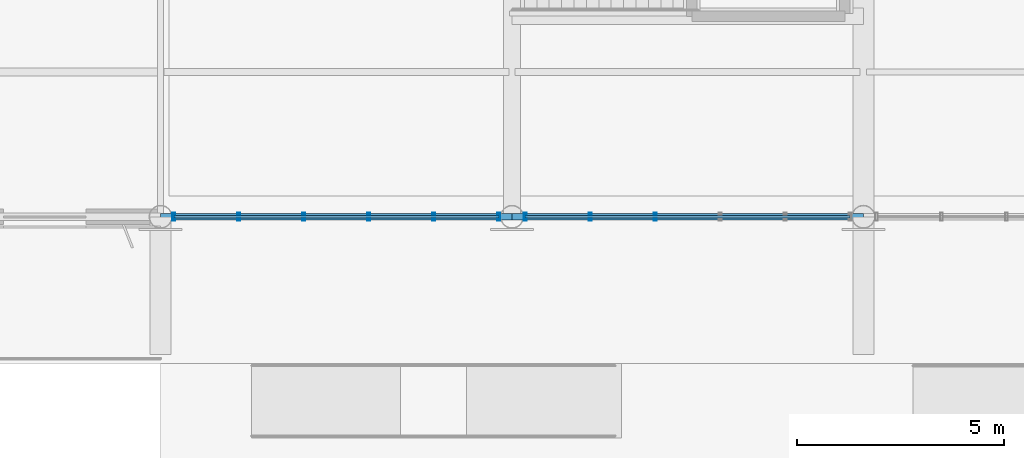
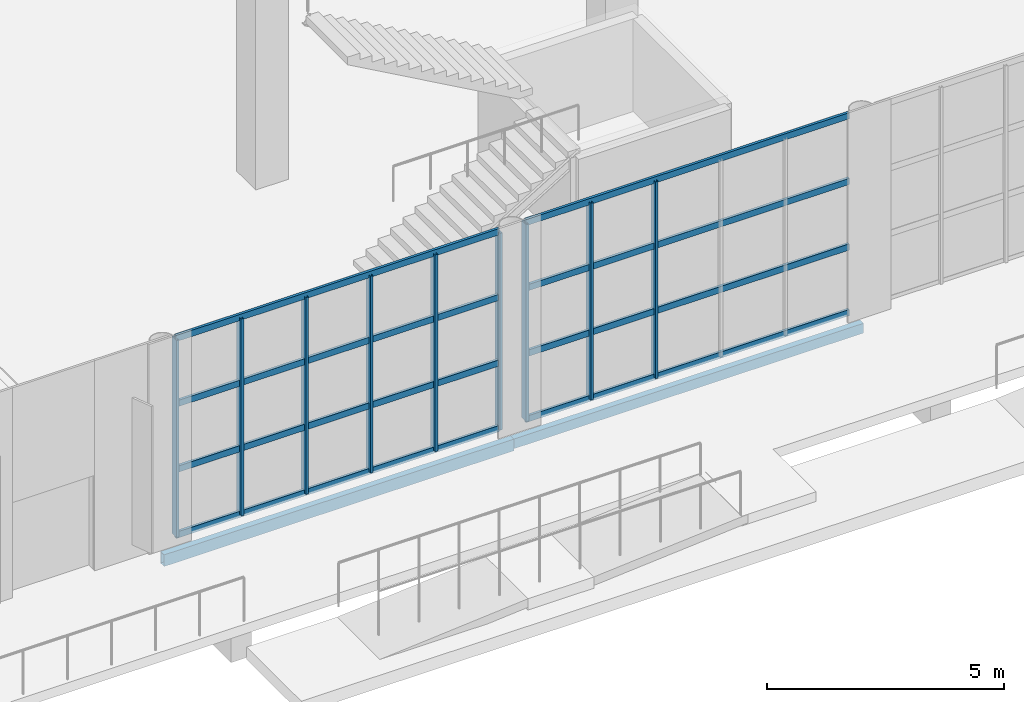
# One storey, part 8 of 90: 17 members, 2 beams, 2 elements without a shape of their own.
"""IFC4 building model written with IfcOpenShell, lengths in metres."""

from ifc_helpers import new_model, si_unit, direction, frame, origin, origin_2d, place, context, subcontext, project, spatial, hollow_rectangle, extrude, material, material_profile, profile_set, type_object, element, aggregate, save


model = new_model("IFC4")

# Units and contexts
model_context = context("Model", 3, precision=1e-05, world=origin(), true_north=direction((0.0, 1.0)))
body_context = subcontext(model_context, "Body", "Model", "MODEL_VIEW")
ifc_project = project(units=[si_unit("LENGTHUNIT", "METRE"), si_unit("AREAUNIT", "SQUARE_METRE"), si_unit("VOLUMEUNIT", "CUBIC_METRE"), si_unit("PLANEANGLEUNIT", "RADIAN"), si_unit("MASSUNIT", "GRAM", prefix="KILO")], contexts=[model_context])

# Site, building, storey
site_placement = place(None, origin())
site = spatial("IfcSite", under=ifc_project, at=site_placement, CompositionType="ELEMENT")
building_placement = place(site_placement, origin())
building = spatial("IfcBuilding", under=site, at=building_placement, Name="Solvikara Media Centre", CompositionType="ELEMENT")
storey_placement = place(building_placement, origin())
storey = spatial("IfcBuildingStorey", under=building, at=storey_placement, Name="L00", CompositionType="ELEMENT", Elevation=0.0)

# Beams
ifc_material_1 = material(Name="Steel S355JR", Category="steel")
ifc_material_profile_1 = material_profile(ifc_material_1, hollow_rectangle(XDim=0.14990234375, YDim=0.300048828125, WallThickness=0.010009765625, at=origin_2d()), Name="RHS 300x150x10")
ifc_profile_set_1 = profile_set([ifc_material_profile_1], Name="Steel S355JR")
beam_type_1 = type_object("IfcBeamType", Name="BM-35", PredefinedType="BEAM", material=ifc_profile_set_1)
beam_1_placement = place(storey_placement, frame((34.0, 0.0, -0.491943359375), z_axis=(1.0, 0.0, 0.0), x_axis=(0.0, 1.0, 0.0)))
element("IfcBeam", 1, at=beam_1_placement, inside=storey, type_object=beam_type_1, Name="B-L00-X0005", PredefinedType="BEAM", context=body_context, shape_type="SweptSolid", body=[
    extrude(hollow_rectangle(XDim=0.14990234375, YDim=0.300048828125, WallThickness=0.010009765625, at=origin_2d()), origin(), (0.0, 0.0, 1.0), 8.5),
])
ifc_material_profile_2 = material_profile(ifc_material_1, hollow_rectangle(XDim=0.14990234375, YDim=0.25, WallThickness=0.008056640625, at=origin_2d()), Name="RHS 250x150x8")
ifc_profile_set_2 = profile_set([ifc_material_profile_2], Name="Steel S355JR")
beam_type_2 = type_object("IfcBeamType", Name="BM-36", PredefinedType="JOIST", material=ifc_profile_set_2)
beam_2_placement = place(storey_placement, frame((42.5, 0.0, -0.467041015625), z_axis=(1.0, 0.0, 0.0), x_axis=(0.0, 1.0, 0.0)))
element("IfcBeam", 2, at=beam_2_placement, inside=storey, type_object=beam_type_2, Name="B-L00-X0006", PredefinedType="JOIST", context=body_context, shape_type="SweptSolid", body=[
    extrude(hollow_rectangle(XDim=0.14990234375, YDim=0.25, WallThickness=0.008056640625, at=origin_2d()), origin(), (0.0, 0.0, 1.0), 8.5),
])

# Curtain wall, members
ifc_material_2 = material(Name="Anodised aluminium EN AW-6063", Category="aluminium")
curtain_wall_type = type_object("IfcCurtainWallType", Name="CW-03", PredefinedType="NOTDEFINED", material=ifc_material_2)
curtain_wall_1_placement = place(storey_placement, origin())
curtain_wall_1 = element("IfcCurtainWall", 3, at=curtain_wall_1_placement, inside=storey, type_object=curtain_wall_type, Name="CW-L00-FOY-S1", PredefinedType="NOTDEFINED")
ifc_material_profile_3 = material_profile(ifc_material_2, hollow_rectangle(XDim=0.06494140625, YDim=0.199951171875, WallThickness=0.00390625, at=origin_2d()), Name="ALU-M 65x200x4")
ifc_profile_set_3 = profile_set([ifc_material_profile_3], Name="Anodised aluminium EN AW-6063")
member_type_1 = type_object("IfcMemberType", Name="MF-02", PredefinedType="MULLION", material=ifc_profile_set_3)
member_1_placement = place(storey_placement, frame((34.319091796875, 0.0, 0.02001953125), z_axis=(0.0, 0.0, 1.0), x_axis=(1.0, 0.0, 0.0)))
member_1 = element("IfcMember", 4, at=member_1_placement, type_object=member_type_1, Name="CW-L00-FOY-S1-M00", PredefinedType="MULLION", context=body_context, shape_type="SweptSolid", body=[
    extrude(hollow_rectangle(XDim=0.06494140625, YDim=0.199951171875, WallThickness=0.00390625, at=origin_2d()), origin(), (0.0, 0.0, 1.0), 5.06005859375),
])
member_2_placement = place(storey_placement, frame((35.89111328125, 0.0, 0.02001953125), z_axis=(0.0, 0.0, 1.0), x_axis=(1.0, 0.0, 0.0)))
member_2 = element("IfcMember", 5, at=member_2_placement, type_object=member_type_1, Name="CW-L00-FOY-S1-M01", PredefinedType="MULLION", context=body_context, shape_type="SweptSolid", body=[
    extrude(hollow_rectangle(XDim=0.06494140625, YDim=0.199951171875, WallThickness=0.00390625, at=origin_2d()), origin(), (0.0, 0.0, 1.0), 5.06005859375),
])
member_3_placement = place(storey_placement, frame((37.464111328125, 0.0, 0.02001953125), z_axis=(0.0, 0.0, 1.0), x_axis=(1.0, 0.0, 0.0)))
member_3 = element("IfcMember", 6, at=member_3_placement, type_object=member_type_1, Name="CW-L00-FOY-S1-M02", PredefinedType="MULLION", context=body_context, shape_type="SweptSolid", body=[
    extrude(hollow_rectangle(XDim=0.06494140625, YDim=0.199951171875, WallThickness=0.00390625, at=origin_2d()), origin(), (0.0, 0.0, 1.0), 5.06005859375),
])
member_4_placement = place(storey_placement, frame((39.035888671875, 0.0, 0.02001953125), z_axis=(0.0, 0.0, 1.0), x_axis=(1.0, 0.0, 0.0)))
member_4 = element("IfcMember", 7, at=member_4_placement, type_object=member_type_1, Name="CW-L00-FOY-S1-M03", PredefinedType="MULLION", context=body_context, shape_type="SweptSolid", body=[
    extrude(hollow_rectangle(XDim=0.06494140625, YDim=0.199951171875, WallThickness=0.00390625, at=origin_2d()), origin(), (0.0, 0.0, 1.0), 5.06005859375),
])
member_5_placement = place(storey_placement, frame((40.60888671875, 0.0, 0.02001953125), z_axis=(0.0, 0.0, 1.0), x_axis=(1.0, 0.0, 0.0)))
member_5 = element("IfcMember", 8, at=member_5_placement, type_object=member_type_1, Name="CW-L00-FOY-S1-M04", PredefinedType="MULLION", context=body_context, shape_type="SweptSolid", body=[
    extrude(hollow_rectangle(XDim=0.06494140625, YDim=0.199951171875, WallThickness=0.00390625, at=origin_2d()), origin(), (0.0, 0.0, 1.0), 5.06005859375),
])
member_6_placement = place(storey_placement, frame((42.180908203125, 0.0, 0.02001953125), z_axis=(0.0, 0.0, 1.0), x_axis=(1.0, 0.0, 0.0)))
member_6 = element("IfcMember", 9, at=member_6_placement, type_object=member_type_1, Name="CW-L00-FOY-S1-M05", PredefinedType="MULLION", context=body_context, shape_type="SweptSolid", body=[
    extrude(hollow_rectangle(XDim=0.06494140625, YDim=0.199951171875, WallThickness=0.00390625, at=origin_2d()), origin(), (0.0, 0.0, 1.0), 5.06005859375),
])

curtain_wall_2_placement = place(storey_placement, origin())
curtain_wall_2 = element("IfcCurtainWall", 10, at=curtain_wall_2_placement, inside=storey, type_object=curtain_wall_type, Name="CW-L00-FOY-S2", PredefinedType="NOTDEFINED")
member_7_placement = place(storey_placement, frame((42.819091796875, 0.0, 0.02001953125), z_axis=(0.0, 0.0, 1.0), x_axis=(1.0, 0.0, 0.0)))
member_7 = element("IfcMember", 11, at=member_7_placement, type_object=member_type_1, Name="CW-L00-FOY-S2-M00", PredefinedType="MULLION", context=body_context, shape_type="SweptSolid", body=[
    extrude(hollow_rectangle(XDim=0.06494140625, YDim=0.199951171875, WallThickness=0.00390625, at=origin_2d()), origin(), (0.0, 0.0, 1.0), 5.06005859375),
])
member_8_placement = place(storey_placement, frame((44.39111328125, 0.0, 0.02001953125), z_axis=(0.0, 0.0, 1.0), x_axis=(1.0, 0.0, 0.0)))
member_8 = element("IfcMember", 12, at=member_8_placement, type_object=member_type_1, Name="CW-L00-FOY-S2-M01", PredefinedType="MULLION", context=body_context, shape_type="SweptSolid", body=[
    extrude(hollow_rectangle(XDim=0.06494140625, YDim=0.199951171875, WallThickness=0.00390625, at=origin_2d()), origin(), (0.0, 0.0, 1.0), 5.06005859375),
])
member_9_placement = place(storey_placement, frame((45.964111328125, 0.0, 0.02001953125), z_axis=(0.0, 0.0, 1.0), x_axis=(1.0, 0.0, 0.0)))
member_9 = element("IfcMember", 13, at=member_9_placement, type_object=member_type_1, Name="CW-L00-FOY-S2-M02", PredefinedType="MULLION", context=body_context, shape_type="SweptSolid", body=[
    extrude(hollow_rectangle(XDim=0.06494140625, YDim=0.199951171875, WallThickness=0.00390625, at=origin_2d()), origin(), (0.0, 0.0, 1.0), 5.06005859375),
])

# Member
ifc_material_profile_4 = material_profile(ifc_material_2, hollow_rectangle(XDim=0.06494140625, YDim=0.159912109375, WallThickness=0.00341796875, at=origin_2d()), Name="ALU-T 65x160x3.5")
ifc_profile_set_4 = profile_set([ifc_material_profile_4], Name="Anodised aluminium EN AW-6063")
member_type_2 = type_object("IfcMemberType", Name="MF-08", PredefinedType="USERDEFINED", material=ifc_profile_set_4)
member_10_placement = place(storey_placement, frame((34.319091796875, 0.0, 0.02001953125), z_axis=(1.0, 0.0, 0.0), x_axis=(0.0, 1.0, 0.0)))
member_10 = element("IfcMember", 14, at=member_10_placement, type_object=member_type_2, Name="CW-L00-FOY-S1-T00", ObjectType="TRANSOM", PredefinedType="USERDEFINED", context=body_context, shape_type="SweptSolid", body=[
    extrude(hollow_rectangle(XDim=0.06494140625, YDim=0.159912109375, WallThickness=0.00341796875, at=origin_2d()), origin(), (0.0, 0.0, 1.0), 7.86181640625),
])

member_11_placement = place(storey_placement, frame((34.319091796875, 0.0, 1.70703125), z_axis=(1.0, 0.0, 0.0), x_axis=(0.0, 1.0, 0.0)))
member_11 = element("IfcMember", 15, at=member_11_placement, type_object=member_type_2, Name="CW-L00-FOY-S1-T01", ObjectType="TRANSOM", PredefinedType="USERDEFINED", context=body_context, shape_type="SweptSolid", body=[
    extrude(hollow_rectangle(XDim=0.06494140625, YDim=0.159912109375, WallThickness=0.00341796875, at=origin_2d()), origin(), (0.0, 0.0, 1.0), 7.86181640625),
])

member_12_placement = place(storey_placement, frame((34.319091796875, 0.0, 3.39306640625), z_axis=(1.0, 0.0, 0.0), x_axis=(0.0, 1.0, 0.0)))
member_12 = element("IfcMember", 16, at=member_12_placement, type_object=member_type_2, Name="CW-L00-FOY-S1-T02", ObjectType="TRANSOM", PredefinedType="USERDEFINED", context=body_context, shape_type="SweptSolid", body=[
    extrude(hollow_rectangle(XDim=0.06494140625, YDim=0.159912109375, WallThickness=0.00341796875, at=origin_2d()), origin(), (0.0, 0.0, 1.0), 7.86181640625),
])

member_13_placement = place(storey_placement, frame((34.319091796875, 0.0, 5.080078125), z_axis=(1.0, 0.0, 0.0), x_axis=(0.0, 1.0, 0.0)))
member_13 = element("IfcMember", 17, at=member_13_placement, type_object=member_type_2, Name="CW-L00-FOY-S1-T03", ObjectType="TRANSOM", PredefinedType="USERDEFINED", context=body_context, shape_type="SweptSolid", body=[
    extrude(hollow_rectangle(XDim=0.06494140625, YDim=0.159912109375, WallThickness=0.00341796875, at=origin_2d()), origin(), (0.0, 0.0, 1.0), 7.86181640625),
])

aggregate(curtain_wall_1, [member_1, member_2, member_3, member_4, member_5, member_6, member_10, member_11, member_12, member_13])

member_14_placement = place(storey_placement, frame((42.819091796875, 0.0, 0.02001953125), z_axis=(1.0, 0.0, 0.0), x_axis=(0.0, 1.0, 0.0)))
member_14 = element("IfcMember", 18, at=member_14_placement, type_object=member_type_2, Name="CW-L00-FOY-S2-T00", ObjectType="TRANSOM", PredefinedType="USERDEFINED", context=body_context, shape_type="SweptSolid", body=[
    extrude(hollow_rectangle(XDim=0.06494140625, YDim=0.159912109375, WallThickness=0.00341796875, at=origin_2d()), origin(), (0.0, 0.0, 1.0), 7.86181640625),
])

member_15_placement = place(storey_placement, frame((42.819091796875, 0.0, 1.70703125), z_axis=(1.0, 0.0, 0.0), x_axis=(0.0, 1.0, 0.0)))
member_15 = element("IfcMember", 19, at=member_15_placement, type_object=member_type_2, Name="CW-L00-FOY-S2-T01", ObjectType="TRANSOM", PredefinedType="USERDEFINED", context=body_context, shape_type="SweptSolid", body=[
    extrude(hollow_rectangle(XDim=0.06494140625, YDim=0.159912109375, WallThickness=0.00341796875, at=origin_2d()), origin(), (0.0, 0.0, 1.0), 7.86181640625),
])

member_16_placement = place(storey_placement, frame((42.819091796875, 0.0, 3.39306640625), z_axis=(1.0, 0.0, 0.0), x_axis=(0.0, 1.0, 0.0)))
member_16 = element("IfcMember", 20, at=member_16_placement, type_object=member_type_2, Name="CW-L00-FOY-S2-T02", ObjectType="TRANSOM", PredefinedType="USERDEFINED", context=body_context, shape_type="SweptSolid", body=[
    extrude(hollow_rectangle(XDim=0.06494140625, YDim=0.159912109375, WallThickness=0.00341796875, at=origin_2d()), origin(), (0.0, 0.0, 1.0), 7.86181640625),
])

member_17_placement = place(storey_placement, frame((42.819091796875, 0.0, 5.080078125), z_axis=(1.0, 0.0, 0.0), x_axis=(0.0, 1.0, 0.0)))
member_17 = element("IfcMember", 21, at=member_17_placement, type_object=member_type_2, Name="CW-L00-FOY-S2-T03", ObjectType="TRANSOM", PredefinedType="USERDEFINED", context=body_context, shape_type="SweptSolid", body=[
    extrude(hollow_rectangle(XDim=0.06494140625, YDim=0.159912109375, WallThickness=0.00341796875, at=origin_2d()), origin(), (0.0, 0.0, 1.0), 7.86181640625),
])

aggregate(curtain_wall_2, [member_7, member_8, member_9, member_14, member_15, member_16, member_17])

save(model, "model.ifc")
